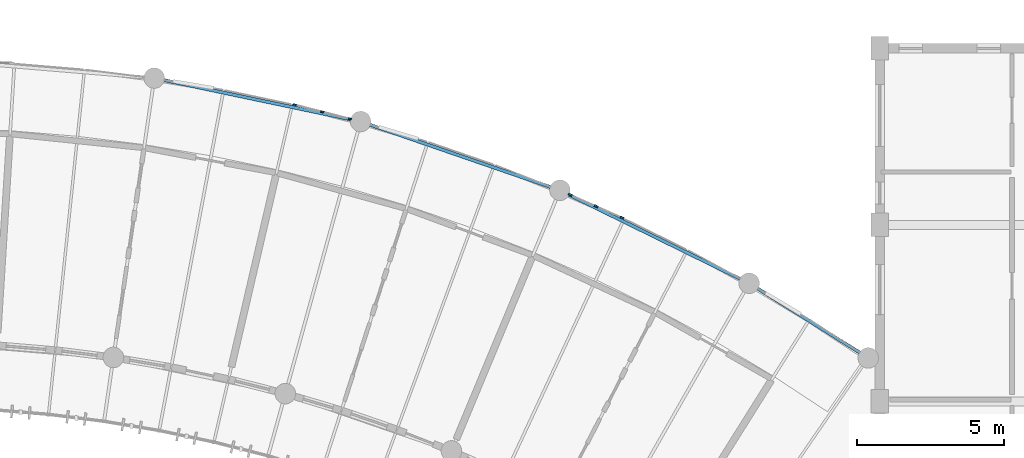
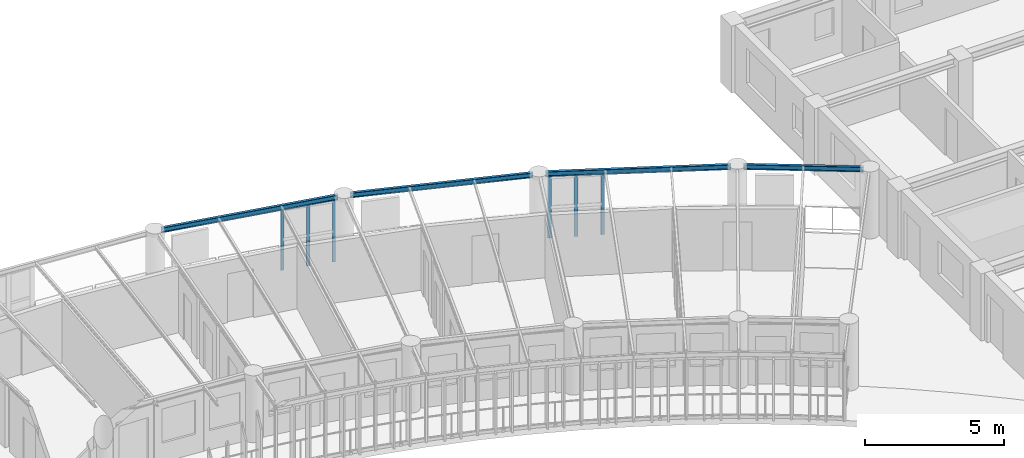
# One storey, part 66 of 137: 6 members, 4 beams, 2 elements without a shape of their own.
"""IFC4 building model written with IfcOpenShell, lengths in metres."""

from ifc_helpers import new_model, si_unit, direction, frame, origin, origin_2d, place, context, subcontext, project, spatial, rectangle, i_section, extrude, material, layer, layer_set, material_profile, profile_set, type_object, element, aggregate, save


model = new_model("IFC4")

# Units and contexts
model_context = context("Model", 3, precision=1e-05, world=origin(), true_north=direction((0.0, 1.0)))
body_context = subcontext(model_context, "Body", "Model", "MODEL_VIEW")
ifc_project = project(units=[si_unit("LENGTHUNIT", "METRE"), si_unit("AREAUNIT", "SQUARE_METRE"), si_unit("VOLUMEUNIT", "CUBIC_METRE"), si_unit("PLANEANGLEUNIT", "RADIAN"), si_unit("MASSUNIT", "GRAM", prefix="KILO"), si_unit("POWERUNIT", "WATT"), si_unit("THERMODYNAMICTEMPERATUREUNIT", "KELVIN")], contexts=[model_context])

# Site, building, storey
site_placement = place(None, origin())
site = spatial("IfcSite", under=ifc_project, at=site_placement, CompositionType="ELEMENT")
building_placement = place(site_placement, origin())
building = spatial("IfcBuilding", under=site, at=building_placement, Name="Ruvembo Vaulted Housing Court", CompositionType="ELEMENT")
storey_placement = place(building_placement, frame((0.0, 0.0, 4.5)))
storey = spatial("IfcBuildingStorey", under=building, at=storey_placement, Name="L01", CompositionType="ELEMENT", Elevation=4.5)

# Beams
ifc_material_1 = material(Name="Steel S355J2", Category="steel")
ifc_material_profile_1 = material_profile(ifc_material_1, i_section(OverallWidth=0.110107421875, OverallDepth=0.219970703125, WebThickness=0.005859375, FlangeThickness=0.00927734375, FilletRadius=0.011962890625, at=origin_2d()), Name="IPE 220")
ifc_profile_set_1 = profile_set([ifc_material_profile_1], Name="Steel S355J2")
beam_type = type_object("IfcBeamType", Name="BM-ST-IPE220", PredefinedType="SPANDREL", material=ifc_profile_set_1)
for number, where, z_axis, x_axis, name in (
    (1, (125.564208984375, 106.94580078125, 2.83203125), (0.978539744328, -0.206058168417, 0.0), (0.206058168417, 0.978539744328, 0.0), "Scoop SC3 L01 Chord Girder B18"),
    (2, (132.571044921875, 105.44091796875, 2.83203125), (0.945368340615, -0.326004141942, 0.0), (0.326004141942, 0.945368340615, 0.0), "Scoop SC3 L01 Chord Girder B21"),
):
    element("IfcBeam", number, at=place(storey_placement, frame(where, z_axis=z_axis, x_axis=x_axis)), inside=storey, type_object=beam_type, Name=name, PredefinedType="SPANDREL", context=body_context, shape_type="SweptSolid", body=[
        extrude(i_section(OverallWidth=0.110107421875, OverallDepth=0.219970703125, WebThickness=0.005859375, FlangeThickness=0.00927734375, FilletRadius=0.011962890625, at=origin_2d()), origin(), (0.0, 0.0, 1.0), 6.70849609375),
    ])
beam_1_placement = place(storey_placement, frame((139.3369140625, 103.07763671875, 2.83203125), z_axis=(0.897549525585, -0.440913652683, 0.0), x_axis=(0.440913652683, 0.897549525585, 0.0)))
element("IfcBeam", 3, at=beam_1_placement, inside=storey, type_object=beam_type, Name="Scoop SC3 L01 Chord Girder B24", PredefinedType="SPANDREL", context=body_context, shape_type="SweptSolid", body=[
    extrude(i_section(OverallWidth=0.110107421875, OverallDepth=0.219970703125, WebThickness=0.005859375, FlangeThickness=0.00927734375, FilletRadius=0.011962890625, at=origin_2d()), origin(), (0.0, 0.0, 1.0), 6.708251953125),
])
beam_2_placement = place(storey_placement, frame((145.75927734375, 99.896240234375, 2.83203125), z_axis=(0.84702548378, -0.53155228325, 0.0), x_axis=(0.53155228325, 0.84702548378, 0.0)))
element("IfcBeam", 4, at=beam_2_placement, inside=storey, type_object=beam_type, Name="Scoop SC3 L01 Chord Girder B27", PredefinedType="SPANDREL", context=body_context, shape_type="SweptSolid", body=[
    extrude(i_section(OverallWidth=0.110107421875, OverallDepth=0.219970703125, WebThickness=0.005859375, FlangeThickness=0.00927734375, FilletRadius=0.011962890625, at=origin_2d()), origin(), (0.0, 0.0, 1.0), 4.320556640625),
])

# Curtain wall, members
ifc_material_2 = material(Name="Anodised Aluminium and Solar-Control Glass", Category="aluminium")
ifc_layer = layer(ifc_material_2, 0.139892578125, Name="Anodised Aluminium and Solar-Control Glass")
ifc_layer_set = layer_set([ifc_layer], Name="Anodised Aluminium and Solar-Control Glass")
curtain_wall_type = type_object("IfcCurtainWallType", Name="CW-SCOOP-PAN", PredefinedType="NOTDEFINED", material=ifc_layer_set)
curtain_wall_1_placement = place(storey_placement, origin())
curtain_wall_1 = element("IfcCurtainWall", 5, at=curtain_wall_1_placement, inside=storey, type_object=curtain_wall_type, Name="L01 Curtain Wall CW-L01-0063", PredefinedType="NOTDEFINED")
ifc_material_3 = material(Name="Anodised Aluminium 6063-T6", Category="aluminium")
ifc_material_profile_2 = material_profile(ifc_material_3, rectangle(XDim=0.054931640625, YDim=0.1201171875, at=origin_2d()), Name="ALU 55x120")
ifc_profile_set_2 = profile_set([ifc_material_profile_2], Name="Anodised Aluminium 6063-T6")
member_type_1 = type_object("IfcMemberType", Name="CW-MUL-55x120", PredefinedType="MULLION", material=ifc_profile_set_2)
member_1_placement = place(storey_placement, frame((130.11181640625, 106.086181640625, 0.0), z_axis=(0.0, 0.0, 1.0), x_axis=(0.246481144869, 0.969147586916, 0.0)))
member_1 = element("IfcMember", 6, at=member_1_placement, type_object=member_type_1, Name="CW10 mullion 1", PredefinedType="MULLION", context=body_context, shape_type="SweptSolid", body=[
    extrude(rectangle(XDim=0.054931640625, YDim=0.1201171875, at=origin_2d()), origin(), (0.0, 0.0, 1.0), 2.697998046875),
])
member_2_placement = place(storey_placement, frame((131.0498046875, 105.84765625, 0.0), z_axis=(0.0, 0.0, 1.0), x_axis=(0.246481144869, 0.969147586916, 0.0)))
member_2 = element("IfcMember", 7, at=member_2_placement, type_object=member_type_1, Name="CW10 mullion 2", PredefinedType="MULLION", context=body_context, shape_type="SweptSolid", body=[
    extrude(rectangle(XDim=0.054931640625, YDim=0.1201171875, at=origin_2d()), origin(), (0.0, 0.0, 1.0), 2.697998046875),
])
member_3_placement = place(storey_placement, frame((131.98779296875, 105.609130859375, 0.0), z_axis=(0.0, 0.0, 1.0), x_axis=(0.246481144869, 0.969147586916, 0.0)))
member_3 = element("IfcMember", 8, at=member_3_placement, type_object=member_type_1, Name="CW10 mullion 3", PredefinedType="MULLION", context=body_context, shape_type="SweptSolid", body=[
    extrude(rectangle(XDim=0.054931640625, YDim=0.1201171875, at=origin_2d()), origin(), (0.0, 0.0, 1.0), 2.697998046875),
])
aggregate(curtain_wall_1, [member_1, member_2, member_3])

curtain_wall_2_placement = place(storey_placement, origin())
curtain_wall_2 = element("IfcCurtainWall", 9, at=curtain_wall_2_placement, inside=storey, type_object=curtain_wall_type, Name="L01 Curtain Wall CW-L01-0064", PredefinedType="NOTDEFINED")
ifc_material_profile_3 = material_profile(ifc_material_3, rectangle(XDim=0.06005859375, YDim=0.139892578125, at=origin_2d()), Name="ALU 60x140")
ifc_profile_set_3 = profile_set([ifc_material_profile_3], Name="Anodised Aluminium 6063-T6")
member_type_2 = type_object("IfcMemberType", Name="CW-MUL-60x140", PredefinedType="MULLION", material=ifc_profile_set_3)
member_4_placement = place(storey_placement, frame((139.478271484375, 103.025634765625, 0.0), z_axis=(0.0, 0.0, 1.0), x_axis=(0.403265448713, 0.91508304425, 0.0)))
member_4 = element("IfcMember", 10, at=member_4_placement, type_object=member_type_2, Name="CW10 mullion 1", PredefinedType="MULLION", context=body_context, shape_type="SweptSolid", body=[
    extrude(rectangle(XDim=0.06005859375, YDim=0.139892578125, at=origin_2d()), origin(), (0.0, 0.0, 1.0), 2.697998046875),
])
member_5_placement = place(storey_placement, frame((140.361572265625, 102.636474609375, 0.0), z_axis=(0.0, 0.0, 1.0), x_axis=(0.403265448713, 0.91508304425, 0.0)))
member_5 = element("IfcMember", 11, at=member_5_placement, type_object=member_type_2, Name="CW10 mullion 2", PredefinedType="MULLION", context=body_context, shape_type="SweptSolid", body=[
    extrude(rectangle(XDim=0.06005859375, YDim=0.139892578125, at=origin_2d()), origin(), (0.0, 0.0, 1.0), 2.697998046875),
])
member_6_placement = place(storey_placement, frame((141.244873046875, 102.2470703125, 0.0), z_axis=(0.0, 0.0, 1.0), x_axis=(0.403265448713, 0.91508304425, 0.0)))
member_6 = element("IfcMember", 12, at=member_6_placement, type_object=member_type_2, Name="CW10 mullion 3", PredefinedType="MULLION", context=body_context, shape_type="SweptSolid", body=[
    extrude(rectangle(XDim=0.06005859375, YDim=0.139892578125, at=origin_2d()), origin(), (0.0, 0.0, 1.0), 2.697998046875),
])
aggregate(curtain_wall_2, [member_4, member_5, member_6])

save(model, "model.ifc")
